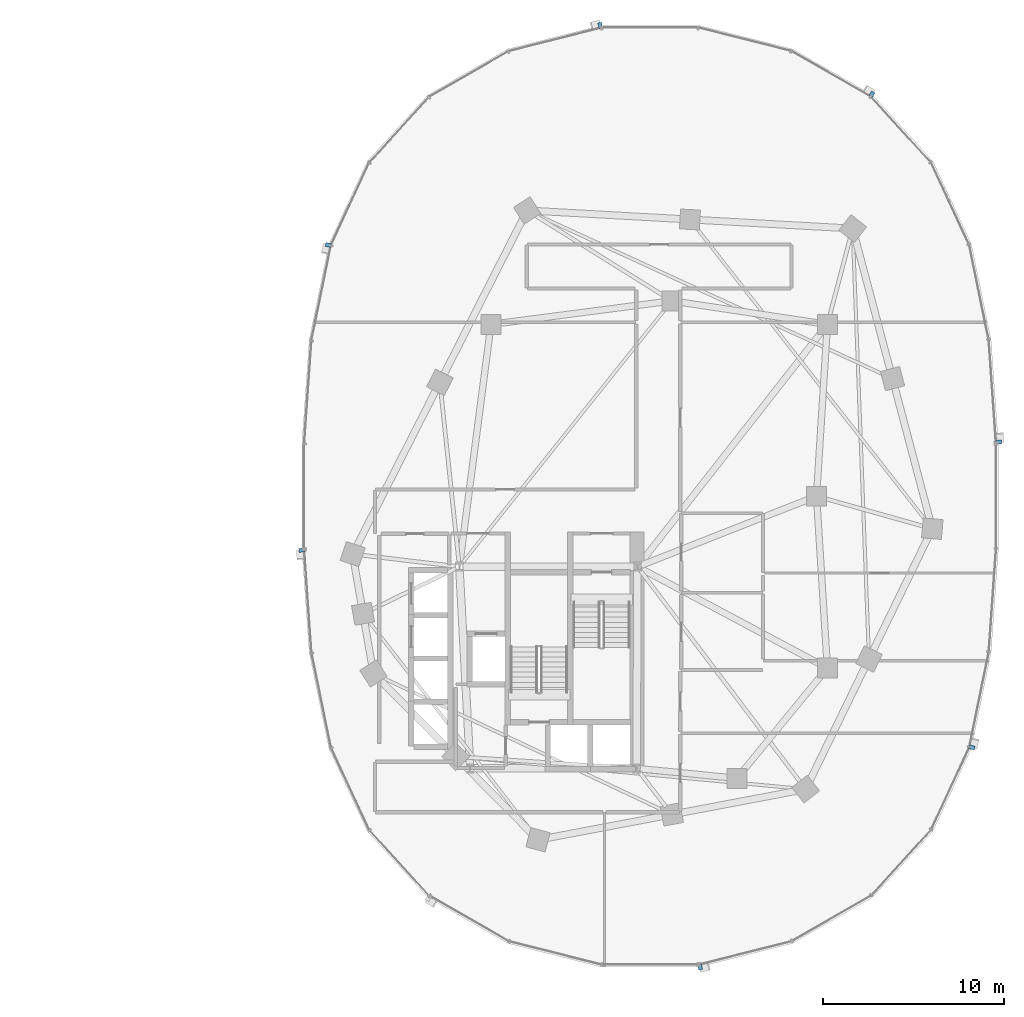
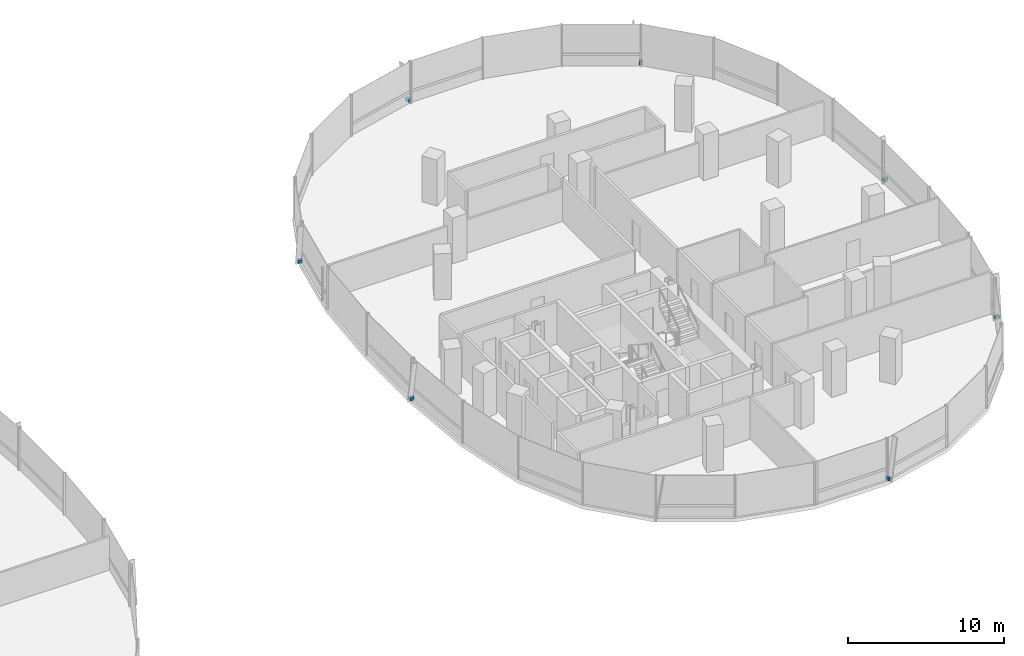
# One storey, part 16 of 21: 7 discrete accessories.
"""IFC4 building model written with IfcOpenShell, lengths in metres."""

from ifc_helpers import new_model, si_unit, direction, frame, origin, origin_2d, place, context, subcontext, project, spatial, rectangle, extrude, material, type_object, element, save


model = new_model("IFC4")

# Units and contexts
model_context = context("Model", 3, precision=1e-05, world=origin(), true_north=direction((0.0, 1.0)))
body_context = subcontext(model_context, "Body", "Model", "MODEL_VIEW")
ifc_project = project(units=[si_unit("LENGTHUNIT", "METRE"), si_unit("AREAUNIT", "SQUARE_METRE"), si_unit("VOLUMEUNIT", "CUBIC_METRE"), si_unit("PLANEANGLEUNIT", "RADIAN"), si_unit("MASSUNIT", "GRAM", prefix="KILO"), si_unit("THERMODYNAMICTEMPERATUREUNIT", "KELVIN"), si_unit("POWERUNIT", "WATT")], contexts=[model_context])

# Site, building, storey
site_placement = place(None, origin())
site = spatial("IfcSite", under=ifc_project, at=site_placement, CompositionType="ELEMENT")
building_placement = place(site_placement, origin())
building = spatial("IfcBuilding", under=site, at=building_placement, Name="Cundina Bronze Exchange", CompositionType="ELEMENT")
storey_placement = place(building_placement, frame((0.0, 0.0, 99.800048828125)))
storey = spatial("IfcBuildingStorey", under=building, at=storey_placement, Name="L25", CompositionType="ELEMENT", Elevation=99.800048828125)

# Discrete accessories
ifc_material = material(Name="Anodised Bronze Aluminium 6063-T6", Category="aluminium")
discrete_accessory_type = type_object("IfcDiscreteAccessoryType", Name="ACC-BRK-FIN", PredefinedType="BRACKET", material=ifc_material)
for number, where, z_axis, x_axis, name in (
    (1, (51.264404296875, 2.986083984375, 0.10009765625), (0.0, 0.0, 1.0), (-0.070278787473, 0.997527389113, 0.0), "L25 Fin Support Bracket 1"),
    (2, (44.259521484375, 22.21875, 0.10009765625), (0.0, 0.0, 1.0), (-0.867105478933, 0.498124571171, 0.0), "L25 Fin Support Bracket 5"),
    (3, (29.23974609375, 26.03173828125, 0.10009765625), (0.0, 0.0, 1.0), (-0.969488149345, -0.245138182011, 0.0), "L25 Fin Support Bracket 1"),
    (4, (14.211669921875, 13.8896484375, 0.10009765625), (0.0, 0.0, 1.0), (-0.201419845156, -0.979505000486, 0.0), "L25 Fin Support Bracket 5"),
    (5, (12.735595703125, -2.986083984375, 0.10009765625), (0.0, 0.0, 1.0), (0.070278787473, -0.997527389113, 0.0), "L25 Fin Support Bracket 1"),
    (6, (34.76025390625, -26.03173828125, 0.10009765625), (0.0, 0.0, 1.0), (0.969488149345, 0.245138182011, 0.0), "L25 Fin Support Bracket 1"),
    (7, (49.788330078125, -13.8896484375, 0.10009765625), (0.0, 0.0, 1.0), (0.201419845156, 0.979505000486, 0.0), "L25 Fin Support Bracket 5"),
):
    element("IfcDiscreteAccessory", number, at=place(storey_placement, frame(where, z_axis=z_axis, x_axis=x_axis)), inside=storey, type_object=discrete_accessory_type, Name=name, PredefinedType="BRACKET", context=body_context, shape_type="SweptSolid", body=[
        extrude(rectangle(XDim=0.219970703125, YDim=0.320068359375, at=origin_2d()), origin(), (0.0, 0.0, 1.0), 0.239990234375),
    ])

save(model, "model.ifc")
